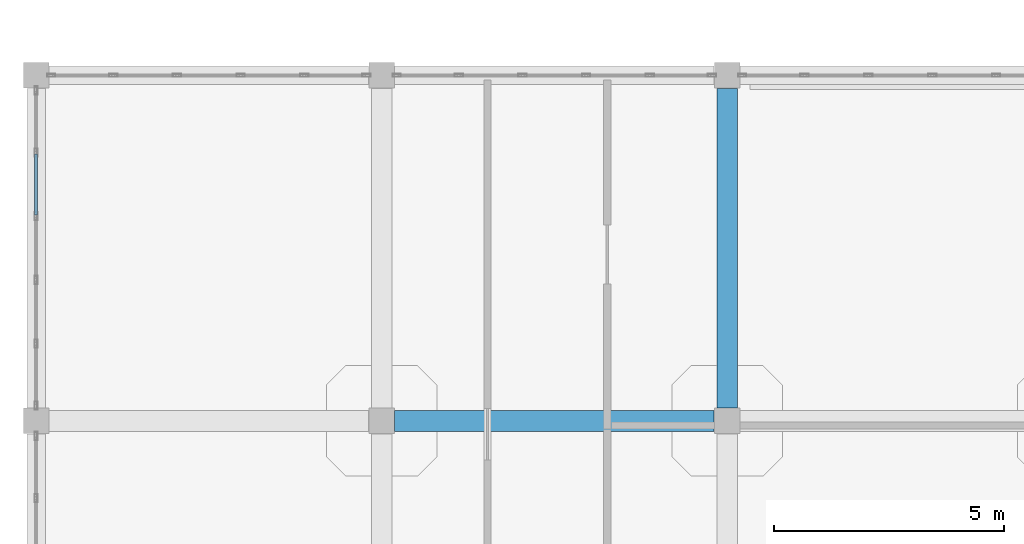
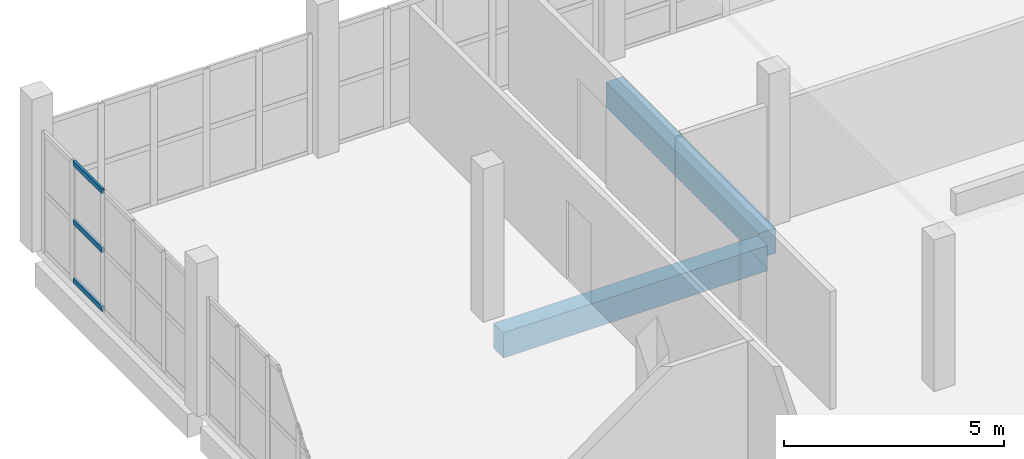
# One storey, part 66 of 164: 3 members, 2 beams, 1 element without a shape of its own.
"""IFC4 building model written with IfcOpenShell, lengths in metres."""

from ifc_helpers import new_model, si_unit, direction, frame, origin, origin_2d, place, context, subcontext, project, spatial, rectangle, hollow_rectangle, extrude, material, layer, layer_set, material_profile, profile_set, type_object, element, aggregate, save


model = new_model("IFC4")

# Units and contexts
model_context = context("Model", 3, precision=1e-05, world=origin(), true_north=direction((0.0, 1.0)))
body_context = subcontext(model_context, "Body", "Model", "MODEL_VIEW")
ifc_project = project(units=[si_unit("LENGTHUNIT", "METRE"), si_unit("AREAUNIT", "SQUARE_METRE"), si_unit("VOLUMEUNIT", "CUBIC_METRE"), si_unit("PLANEANGLEUNIT", "RADIAN"), si_unit("MASSUNIT", "GRAM", prefix="KILO")], contexts=[model_context])

# Site, building, storey
site_placement = place(None, origin())
site = spatial("IfcSite", under=ifc_project, at=site_placement, CompositionType="ELEMENT")
building_placement = place(site_placement, origin())
building = spatial("IfcBuilding", under=site, at=building_placement, Name="Mawjan Specialist Oncology Clinic", CompositionType="ELEMENT")
storey_placement = place(building_placement, frame((0.0, 0.0, 5.0)))
storey = spatial("IfcBuildingStorey", under=building, at=storey_placement, Name="L01", CompositionType="ELEMENT", Elevation=5.0)

# Beams
ifc_material_1 = material(Name="Concrete C40/50", Category="concrete")
ifc_material_profile_1 = material_profile(ifc_material_1, rectangle(XDim=0.449951171875, YDim=0.699951171875, at=origin_2d()), Name="RC BM 450x700", Category="concrete")
ifc_profile_set_1 = profile_set([ifc_material_profile_1], Name="Concrete C40/50")
beam_type = type_object("IfcBeamType", Name="BM-450x700", PredefinedType="BEAM", material=ifc_profile_set_1)
beam_1_placement = place(storey_placement, frame((7.784912109375, 68.300048828125, -0.8701171875), z_axis=(1.0, 0.0, 0.0), x_axis=(0.0, 1.0, 0.0)))
element("IfcBeam", 1, at=beam_1_placement, inside=storey, type_object=beam_type, Name="L01 Collector Beam BM-L01-0304", PredefinedType="BEAM", context=body_context, shape_type="SweptSolid", body=[
    extrude(rectangle(XDim=0.449951171875, YDim=0.699951171875, at=origin_2d()), origin(), (0.0, 0.0, 1.0), 6.93017578125),
])
beam_2_placement = place(storey_placement, frame((15.0, 68.5849609375, -0.8701171875), z_axis=(0.0, 1.0, 0.0), x_axis=(-1.0, 0.0, 0.0)))
element("IfcBeam", 2, at=beam_2_placement, inside=storey, type_object=beam_type, Name="L01 Collector Beam BM-L01-0445", PredefinedType="BEAM", context=body_context, shape_type="SweptSolid", body=[
    extrude(rectangle(XDim=0.449951171875, YDim=0.699951171875, at=origin_2d()), origin(), (0.0, 0.0, 1.0), 6.929931640625),
])

# Curtain wall, members
ifc_material_2 = material(Name="Unitised spectrally selective aluminium curtain wall", Category="aluminium")
ifc_layer = layer(ifc_material_2, 0.179931640625, Name="Unitised spectrally selective aluminium curtain wall", Category="aluminium")
ifc_layer_set = layer_set([ifc_layer], Name="Unitised spectrally selective aluminium curtain wall")
curtain_wall_type = type_object("IfcCurtainWallType", Name="CW-78", PredefinedType="NOTDEFINED", material=ifc_layer_set)
curtain_wall_placement = place(storey_placement, origin())
curtain_wall = element("IfcCurtainWall", 3, at=curtain_wall_placement, inside=storey, type_object=curtain_wall_type, Name="L01 Unitised Curtain Wall CW-L01-151", PredefinedType="NOTDEFINED")
ifc_material_3 = material(Name="Thermally broken aluminium 6063-T6", Category="aluminium")
ifc_material_profile_2 = material_profile(ifc_material_3, hollow_rectangle(XDim=0.06494140625, YDim=0.139892578125, WallThickness=0.00390625, at=origin_2d()), Name="ALU TRANSOM 140x65x4", Category="aluminium")
ifc_profile_set_2 = profile_set([ifc_material_profile_2], Name="Thermally broken aluminium 6063-T6")
member_type = type_object("IfcMemberType", Name="CW-T140", PredefinedType="USERDEFINED", material=ifc_profile_set_2)
member_1_placement = place(storey_placement, frame((0.0, 72.7734375, 0.032470703125), z_axis=(0.0, 1.0, 0.0), x_axis=(-1.0, 0.0, 0.0)))
member_1 = element("IfcMember", 4, at=member_1_placement, type_object=member_type, Name="CW-78 transom 4.1", ObjectType="TRANSOM", PredefinedType="USERDEFINED", context=body_context, shape_type="SweptSolid", body=[
    extrude(hollow_rectangle(XDim=0.06494140625, YDim=0.139892578125, WallThickness=0.00390625, at=origin_2d()), origin(), (0.0, 0.0, 1.0), 1.317138671875),
])
member_2_placement = place(storey_placement, frame((0.0, 72.7734375, 1.657470703125), z_axis=(0.0, 1.0, 0.0), x_axis=(-1.0, 0.0, 0.0)))
member_2 = element("IfcMember", 5, at=member_2_placement, type_object=member_type, Name="CW-78 transom 4.2", ObjectType="TRANSOM", PredefinedType="USERDEFINED", context=body_context, shape_type="SweptSolid", body=[
    extrude(hollow_rectangle(XDim=0.06494140625, YDim=0.139892578125, WallThickness=0.00390625, at=origin_2d()), origin(), (0.0, 0.0, 1.0), 1.317138671875),
])
member_3_placement = place(storey_placement, frame((0.0, 72.7734375, 3.282470703125), z_axis=(0.0, 1.0, 0.0), x_axis=(-1.0, 0.0, 0.0)))
member_3 = element("IfcMember", 6, at=member_3_placement, type_object=member_type, Name="CW-78 transom 4.3", ObjectType="TRANSOM", PredefinedType="USERDEFINED", context=body_context, shape_type="SweptSolid", body=[
    extrude(hollow_rectangle(XDim=0.06494140625, YDim=0.139892578125, WallThickness=0.00390625, at=origin_2d()), origin(), (0.0, 0.0, 1.0), 1.317138671875),
])
aggregate(curtain_wall, [member_1, member_2, member_3])

save(model, "model.ifc")
